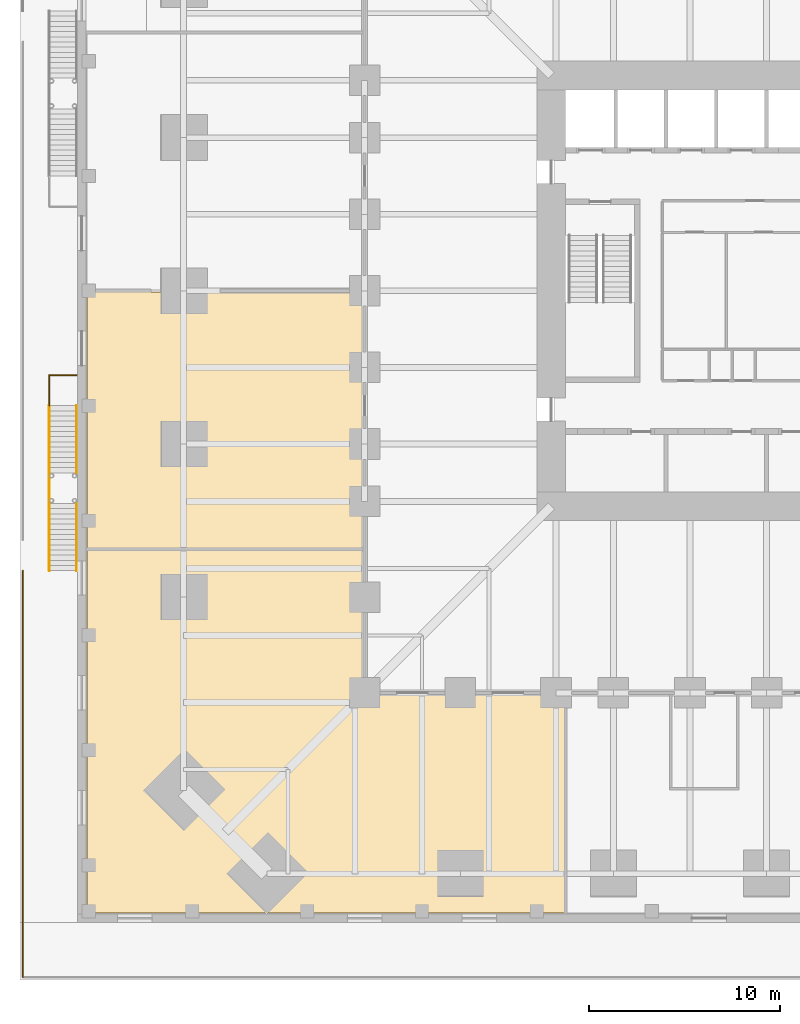
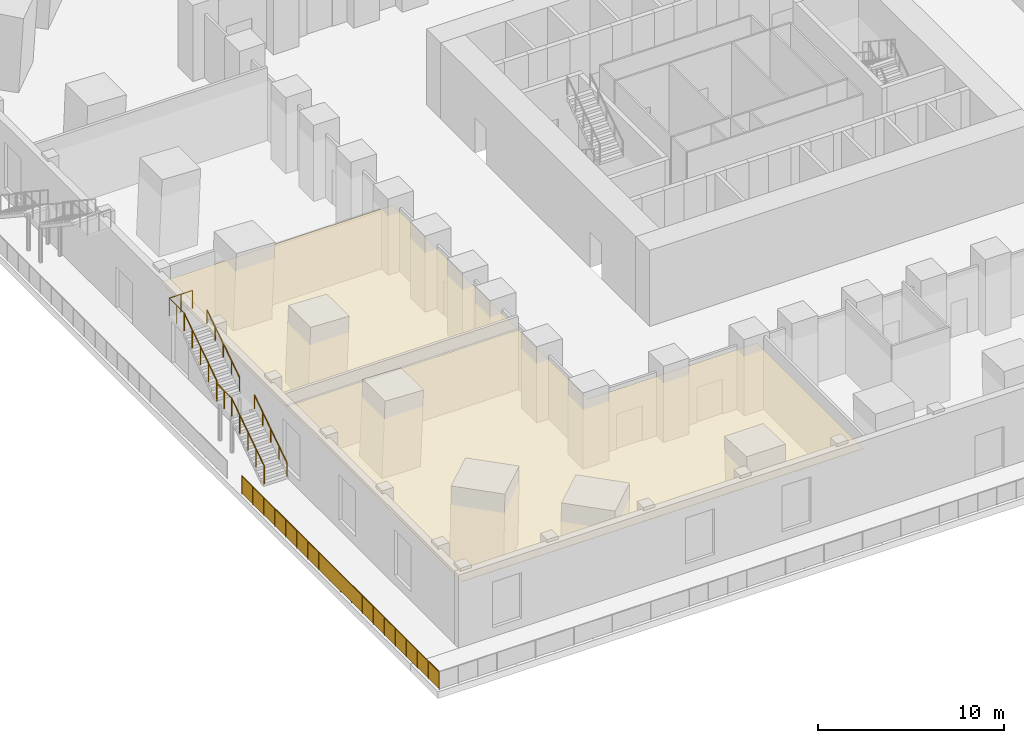
# One storey, part 16 of 20: 7 railings, 2 coverings.
"""IFC4 building model written with IfcOpenShell, lengths in metres."""

from ifc_helpers import new_model, si_unit, direction, frame, origin, origin_2d, place, context, subcontext, project, spatial, polyline, rectangle, circle, outline, extrude, material, layer, layer_set, type_object, element, save


model = new_model("IFC4")

# Units and contexts
model_context = context("Model", 3, precision=1e-05, world=origin(), true_north=direction((0.0, 1.0)))
body_context = subcontext(model_context, "Body", "Model", "MODEL_VIEW")
ifc_project = project(units=[si_unit("LENGTHUNIT", "METRE"), si_unit("AREAUNIT", "SQUARE_METRE"), si_unit("VOLUMEUNIT", "CUBIC_METRE"), si_unit("PLANEANGLEUNIT", "RADIAN"), si_unit("MASSUNIT", "GRAM", prefix="KILO")], contexts=[model_context])

# Site, building, storey
site_placement = place(None, origin())
site = spatial("IfcSite", under=ifc_project, at=site_placement, CompositionType="ELEMENT")
building_placement = place(site_placement, origin())
building = spatial("IfcBuilding", under=site, at=building_placement, Name="Peilmerk Tower", CompositionType="ELEMENT")
storey_placement = place(building_placement, frame((0.0, 0.0, 11.0)))
storey = spatial("IfcBuildingStorey", under=building, at=storey_placement, Name="L02", CompositionType="ELEMENT", Elevation=11.0)

# Coverings
ifc_material_1 = material(Name="Mineral fibre ceiling tiles", Category="mineral")
ifc_layer = layer(ifc_material_1, 0.02490234375)
ifc_layer_set = layer_set([ifc_layer], Name="Mineral fibre ceiling tiles")
covering_type = type_object("IfcCoveringType", Name="CL1 25 suspended ceiling", PredefinedType="CEILING", material=ifc_layer_set)
covering_1_placement = place(storey_placement, frame((0.0, 0.0, 3.875)))
element("IfcCovering", 1, at=covering_1_placement, inside=storey, type_object=covering_type, Name="Suspended ceiling Open workspace", PredefinedType="CEILING", context=body_context, shape_type="SweptSolid", body=[
    extrude(outline(polyline([(-35.5, -13.550048828125), (-35.5, -32.5), (-10.550048828125, -32.5), (-10.550048828125, -21.050048828125), (-21.050048828125, -21.050048828125), (-21.050048828125, -13.550048828125), (-35.5, -13.550048828125)])), origin(), (0.0, 0.0, 1.0), 0.02490234375),
])
covering_2_placement = place(storey_placement, frame((0.0, 0.0, 3.875)))
element("IfcCovering", 2, at=covering_2_placement, inside=storey, type_object=covering_type, Name="Suspended ceiling Office", PredefinedType="CEILING", context=body_context, shape_type="SweptSolid", body=[
    extrude(outline(polyline([(-35.5, -0.050048828125), (-35.5, -13.449951171875), (-21.050048828125, -13.449951171875), (-21.050048828125, -0.050048828125), (-35.5, -0.050048828125)])), origin(), (0.0, 0.0, 1.0), 0.02490234375),
])

# Railings
ifc_material_2 = material(Name="Steel flat bar balustrade", Category="steel")
railing_type_1 = type_object("IfcRailingType", Name="GR1 1200 stair guard", PredefinedType="GUARDRAIL", material=ifc_material_2)
for number, where, name in (
    (3, (-37.469970703125, -14.6201171875, 0.178466796875), "Guard external stair 6 L02"),
    (4, (-37.469970703125, -9.510009765625, 2.678466796875), "Guard external stair 6 L02"),
):
    element("IfcRailing", number, at=place(storey_placement, frame(where)), inside=storey, type_object=railing_type_1, Name=name, PredefinedType="GUARDRAIL", context=body_context, shape_type="SweptSolid", body=[
        extrude(circle(Radius=0.02392578125, at=origin_2d()), frame((0.0, 0.0, 1.17578125), z_axis=(0.0, 0.834070780157, 0.551657442339), x_axis=(-1.0, 0.0, 0.0)), (0.0, 0.0, 1.0), 4.208251953125),
        extrude(circle(Radius=0.02099609375, at=origin_2d()), origin(), (0.0, 0.0, 1.0), 1.15185546875),
        extrude(circle(Radius=0.02099609375, at=origin_2d()), frame((0.0, 0.87744140625, 0.580322265625)), (0.0, 0.0, 1.0), 1.15185546875),
        extrude(circle(Radius=0.02099609375, at=origin_2d()), frame((0.0, 1.7548828125, 1.16064453125)), (0.0, 0.0, 1.0), 1.15185546875),
        extrude(circle(Radius=0.02099609375, at=origin_2d()), frame((0.0, 2.632568359375, 1.7412109375)), (0.0, 0.0, 1.0), 1.15185546875),
        extrude(circle(Radius=0.02099609375, at=origin_2d()), frame((0.0, 3.510009765625, 2.321533203125)), (0.0, 0.0, 1.0), 1.15185546875),
    ])
railing_1_placement = place(storey_placement, frame((-37.469970703125, -11.110107421875, 2.5)))
element("IfcRailing", 5, at=railing_1_placement, inside=storey, type_object=railing_type_1, Name="Guard external stair 6 L02", PredefinedType="GUARDRAIL", context=body_context, shape_type="SweptSolid", body=[
    extrude(circle(Radius=0.02392578125, at=origin_2d()), frame((0.0, 0.0, 1.17578125), z_axis=(0.0, 1.0, 0.0), x_axis=(-1.0, 0.0, 0.0)), (0.0, 0.0, 1.0), 1.60009765625),
    extrude(circle(Radius=0.02099609375, at=origin_2d()), origin(), (0.0, 0.0, 1.0), 1.15185546875),
    extrude(circle(Radius=0.02099609375, at=origin_2d()), frame((0.0, 0.800048828125, 0.0)), (0.0, 0.0, 1.0), 1.15185546875),
    extrude(circle(Radius=0.02099609375, at=origin_2d()), frame((0.0, 1.60009765625, 0.0)), (0.0, 0.0, 1.0), 1.15185546875),
])
railing_2_placement = place(storey_placement, frame((-37.469970703125, -6.0, 5.0)))
element("IfcRailing", 6, at=railing_2_placement, inside=storey, type_object=railing_type_1, Name="Guard external stair 6 L02", PredefinedType="GUARDRAIL", context=body_context, shape_type="SweptSolid", body=[
    extrude(circle(Radius=0.02392578125, at=origin_2d()), frame((0.0, 0.0, 1.17578125), z_axis=(0.0, 1.0, 0.0), x_axis=(-1.0, 0.0, 0.0)), (0.0, 0.0, 1.0), 1.60009765625),
    extrude(circle(Radius=0.02392578125, at=origin_2d()), frame((0.0, 1.60009765625, 1.17578125), z_axis=(1.0, 0.0, 0.0), x_axis=(0.0, 1.0, 0.0)), (0.0, 0.0, 1.0), 1.43994140625),
    extrude(circle(Radius=0.02099609375, at=origin_2d()), origin(), (0.0, 0.0, 1.0), 1.15185546875),
    extrude(circle(Radius=0.02099609375, at=origin_2d()), frame((0.0, 0.800048828125, 0.0)), (0.0, 0.0, 1.0), 1.15185546875),
    extrude(circle(Radius=0.02099609375, at=origin_2d()), frame((0.0, 1.60009765625, 0.0)), (0.0, 0.0, 1.0), 1.15185546875),
    extrude(circle(Radius=0.02099609375, at=origin_2d()), frame((0.719970703125, 1.60009765625, 0.0)), (0.0, 0.0, 1.0), 1.15185546875),
    extrude(circle(Radius=0.02099609375, at=origin_2d()), frame((1.43994140625, 1.60009765625, 0.0)), (0.0, 0.0, 1.0), 1.15185546875),
])
ifc_material_3 = material(Name="Galvanised steel posts and top rail, laminated glass infill 16", Category="steel")
railing_type_2 = type_object("IfcRailingType", Name="GR2 1200 terrace balustrade", PredefinedType="BALUSTRADE", material=ifc_material_3)
railing_3_placement = place(storey_placement, frame((-38.85009765625, -35.85009765625, 0.0)))
element("IfcRailing", 7, at=railing_3_placement, inside=storey, type_object=railing_type_2, Name="Terrace balustrade L02", PredefinedType="BALUSTRADE", context=body_context, shape_type="SweptSolid", body=[
    extrude(circle(Radius=0.02392578125, at=origin_2d()), frame((0.0, 0.0, 1.17578125), z_axis=(0.0, 1.0, 0.0), x_axis=(-1.0, 0.0, 0.0)), (0.0, 0.0, 1.0), 21.22998046875),
    extrude(circle(Radius=0.02099609375, at=origin_2d()), origin(), (0.0, 0.0, 1.0), 1.15185546875),
    extrude(circle(Radius=0.02099609375, at=origin_2d()), frame((0.0, 1.179443359375, 0.0)), (0.0, 0.0, 1.0), 1.15185546875),
    extrude(circle(Radius=0.02099609375, at=origin_2d()), frame((0.0, 2.35888671875, 0.0)), (0.0, 0.0, 1.0), 1.15185546875),
    extrude(circle(Radius=0.02099609375, at=origin_2d()), frame((0.0, 3.538330078125, 0.0)), (0.0, 0.0, 1.0), 1.15185546875),
    extrude(circle(Radius=0.02099609375, at=origin_2d()), frame((0.0, 4.7177734375, 0.0)), (0.0, 0.0, 1.0), 1.15185546875),
    extrude(circle(Radius=0.02099609375, at=origin_2d()), frame((0.0, 5.897216796875, 0.0)), (0.0, 0.0, 1.0), 1.15185546875),
    extrude(circle(Radius=0.02099609375, at=origin_2d()), frame((0.0, 7.07666015625, 0.0)), (0.0, 0.0, 1.0), 1.15185546875),
    extrude(circle(Radius=0.02099609375, at=origin_2d()), frame((0.0, 8.256103515625, 0.0)), (0.0, 0.0, 1.0), 1.15185546875),
    extrude(circle(Radius=0.02099609375, at=origin_2d()), frame((0.0, 9.435546875, 0.0)), (0.0, 0.0, 1.0), 1.15185546875),
    extrude(circle(Radius=0.02099609375, at=origin_2d()), frame((0.0, 10.614990234375, 0.0)), (0.0, 0.0, 1.0), 1.15185546875),
    extrude(circle(Radius=0.02099609375, at=origin_2d()), frame((0.0, 11.79443359375, 0.0)), (0.0, 0.0, 1.0), 1.15185546875),
    extrude(circle(Radius=0.02099609375, at=origin_2d()), frame((0.0, 12.973876953125, 0.0)), (0.0, 0.0, 1.0), 1.15185546875),
    extrude(circle(Radius=0.02099609375, at=origin_2d()), frame((0.0, 14.1533203125, 0.0)), (0.0, 0.0, 1.0), 1.15185546875),
    extrude(circle(Radius=0.02099609375, at=origin_2d()), frame((0.0, 15.332763671875, 0.0)), (0.0, 0.0, 1.0), 1.15185546875),
    extrude(circle(Radius=0.02099609375, at=origin_2d()), frame((0.0, 16.51220703125, 0.0)), (0.0, 0.0, 1.0), 1.15185546875),
    extrude(circle(Radius=0.02099609375, at=origin_2d()), frame((0.0, 17.691650390625, 0.0)), (0.0, 0.0, 1.0), 1.15185546875),
    extrude(circle(Radius=0.02099609375, at=origin_2d()), frame((0.0, 18.87109375, 0.0)), (0.0, 0.0, 1.0), 1.15185546875),
    extrude(circle(Radius=0.02099609375, at=origin_2d()), frame((0.0, 20.050537109375, 0.0)), (0.0, 0.0, 1.0), 1.15185546875),
    extrude(circle(Radius=0.02099609375, at=origin_2d()), frame((0.0, 21.22998046875, 0.0)), (0.0, 0.0, 1.0), 1.15185546875),
    extrude(rectangle(XDim=1.137451171875, YDim=0.01611328125, at=origin_2d()), frame((0.0, 0.58984375, 0.050048828125), z_axis=(0.0, 0.0, 1.0), x_axis=(0.0, 1.0, 0.0)), (0.0, 0.0, 1.0), 1.101806640625),
    extrude(rectangle(XDim=1.137451171875, YDim=0.01611328125, at=origin_2d()), frame((0.0, 1.76904296875, 0.050048828125), z_axis=(0.0, 0.0, 1.0), x_axis=(0.0, 1.0, 0.0)), (0.0, 0.0, 1.0), 1.101806640625),
    extrude(rectangle(XDim=1.137451171875, YDim=0.01611328125, at=origin_2d()), frame((0.0, 2.94873046875, 0.050048828125), z_axis=(0.0, 0.0, 1.0), x_axis=(0.0, 1.0, 0.0)), (0.0, 0.0, 1.0), 1.101806640625),
    extrude(rectangle(XDim=1.137451171875, YDim=0.01611328125, at=origin_2d()), frame((0.0, 4.1279296875, 0.050048828125), z_axis=(0.0, 0.0, 1.0), x_axis=(0.0, 1.0, 0.0)), (0.0, 0.0, 1.0), 1.101806640625),
    extrude(rectangle(XDim=1.137451171875, YDim=0.01611328125, at=origin_2d()), frame((0.0, 5.3076171875, 0.050048828125), z_axis=(0.0, 0.0, 1.0), x_axis=(0.0, 1.0, 0.0)), (0.0, 0.0, 1.0), 1.101806640625),
    extrude(rectangle(XDim=1.137451171875, YDim=0.01611328125, at=origin_2d()), frame((0.0, 6.487060546875, 0.050048828125), z_axis=(0.0, 0.0, 1.0), x_axis=(0.0, 1.0, 0.0)), (0.0, 0.0, 1.0), 1.101806640625),
    extrude(rectangle(XDim=1.137451171875, YDim=0.01611328125, at=origin_2d()), frame((0.0, 7.66650390625, 0.050048828125), z_axis=(0.0, 0.0, 1.0), x_axis=(0.0, 1.0, 0.0)), (0.0, 0.0, 1.0), 1.101806640625),
    extrude(rectangle(XDim=1.137451171875, YDim=0.01611328125, at=origin_2d()), frame((0.0, 8.845703125, 0.050048828125), z_axis=(0.0, 0.0, 1.0), x_axis=(0.0, 1.0, 0.0)), (0.0, 0.0, 1.0), 1.101806640625),
    extrude(rectangle(XDim=1.137451171875, YDim=0.01611328125, at=origin_2d()), frame((0.0, 10.025390625, 0.050048828125), z_axis=(0.0, 0.0, 1.0), x_axis=(0.0, 1.0, 0.0)), (0.0, 0.0, 1.0), 1.101806640625),
    extrude(rectangle(XDim=1.137451171875, YDim=0.01611328125, at=origin_2d()), frame((0.0, 11.20458984375, 0.050048828125), z_axis=(0.0, 0.0, 1.0), x_axis=(0.0, 1.0, 0.0)), (0.0, 0.0, 1.0), 1.101806640625),
    extrude(rectangle(XDim=1.137451171875, YDim=0.01611328125, at=origin_2d()), frame((0.0, 12.38427734375, 0.050048828125), z_axis=(0.0, 0.0, 1.0), x_axis=(0.0, 1.0, 0.0)), (0.0, 0.0, 1.0), 1.101806640625),
    extrude(rectangle(XDim=1.137451171875, YDim=0.01611328125, at=origin_2d()), frame((0.0, 13.5634765625, 0.050048828125), z_axis=(0.0, 0.0, 1.0), x_axis=(0.0, 1.0, 0.0)), (0.0, 0.0, 1.0), 1.101806640625),
    extrude(rectangle(XDim=1.137451171875, YDim=0.01611328125, at=origin_2d()), frame((0.0, 14.7431640625, 0.050048828125), z_axis=(0.0, 0.0, 1.0), x_axis=(0.0, 1.0, 0.0)), (0.0, 0.0, 1.0), 1.101806640625),
    extrude(rectangle(XDim=1.137451171875, YDim=0.01611328125, at=origin_2d()), frame((0.0, 15.92236328125, 0.050048828125), z_axis=(0.0, 0.0, 1.0), x_axis=(0.0, 1.0, 0.0)), (0.0, 0.0, 1.0), 1.101806640625),
    extrude(rectangle(XDim=1.137451171875, YDim=0.01611328125, at=origin_2d()), frame((0.0, 17.10205078125, 0.050048828125), z_axis=(0.0, 0.0, 1.0), x_axis=(0.0, 1.0, 0.0)), (0.0, 0.0, 1.0), 1.101806640625),
    extrude(rectangle(XDim=1.137451171875, YDim=0.01611328125, at=origin_2d()), frame((0.0, 18.28125, 0.050048828125), z_axis=(0.0, 0.0, 1.0), x_axis=(0.0, 1.0, 0.0)), (0.0, 0.0, 1.0), 1.101806640625),
    extrude(rectangle(XDim=1.137451171875, YDim=0.01611328125, at=origin_2d()), frame((0.0, 19.4609375, 0.050048828125), z_axis=(0.0, 0.0, 1.0), x_axis=(0.0, 1.0, 0.0)), (0.0, 0.0, 1.0), 1.101806640625),
    extrude(rectangle(XDim=1.137451171875, YDim=0.01611328125, at=origin_2d()), frame((0.0, 20.64013671875, 0.050048828125), z_axis=(0.0, 0.0, 1.0), x_axis=(0.0, 1.0, 0.0)), (0.0, 0.0, 1.0), 1.101806640625),
])
ifc_material_4 = material(Name="Stainless steel tube", Category="steel")
railing_type_3 = type_object("IfcRailingType", Name="HR1 900 stair handrail", PredefinedType="HANDRAIL", material=ifc_material_4)
for number, where, name in (
    (8, (-36.050048828125, -14.6201171875, 0.178466796875), "Handrail external stair 6 L02"),
    (9, (-36.050048828125, -9.510009765625, 2.678466796875), "Handrail external stair 6 L02"),
):
    element("IfcRailing", number, at=place(storey_placement, frame(where)), inside=storey, type_object=railing_type_3, Name=name, PredefinedType="HANDRAIL", context=body_context, shape_type="SweptSolid", body=[
        extrude(circle(Radius=0.02392578125, at=origin_2d()), frame((0.0, 0.0, 0.8759765625), z_axis=(0.0, 0.834070780157, 0.551657442339), x_axis=(-1.0, 0.0, 0.0)), (0.0, 0.0, 1.0), 4.208251953125),
        extrude(circle(Radius=0.02099609375, at=origin_2d()), origin(), (0.0, 0.0, 1.0), 0.851806640625),
        extrude(circle(Radius=0.02099609375, at=origin_2d()), frame((0.0, 0.87744140625, 0.580322265625)), (0.0, 0.0, 1.0), 0.851806640625),
        extrude(circle(Radius=0.02099609375, at=origin_2d()), frame((0.0, 1.7548828125, 1.16064453125)), (0.0, 0.0, 1.0), 0.851806640625),
        extrude(circle(Radius=0.02099609375, at=origin_2d()), frame((0.0, 2.632568359375, 1.7412109375)), (0.0, 0.0, 1.0), 0.851806640625),
        extrude(circle(Radius=0.02099609375, at=origin_2d()), frame((0.0, 3.510009765625, 2.321533203125)), (0.0, 0.0, 1.0), 0.851806640625),
    ])

save(model, "model.ifc")
